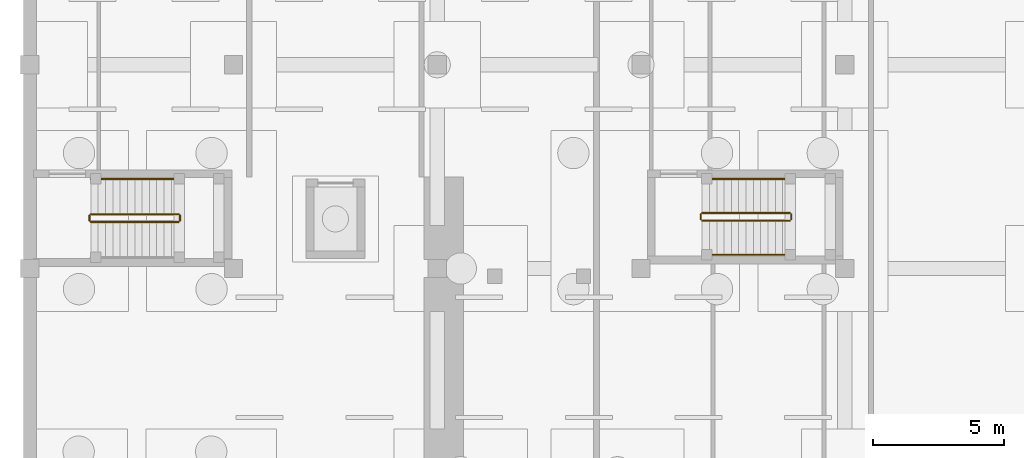
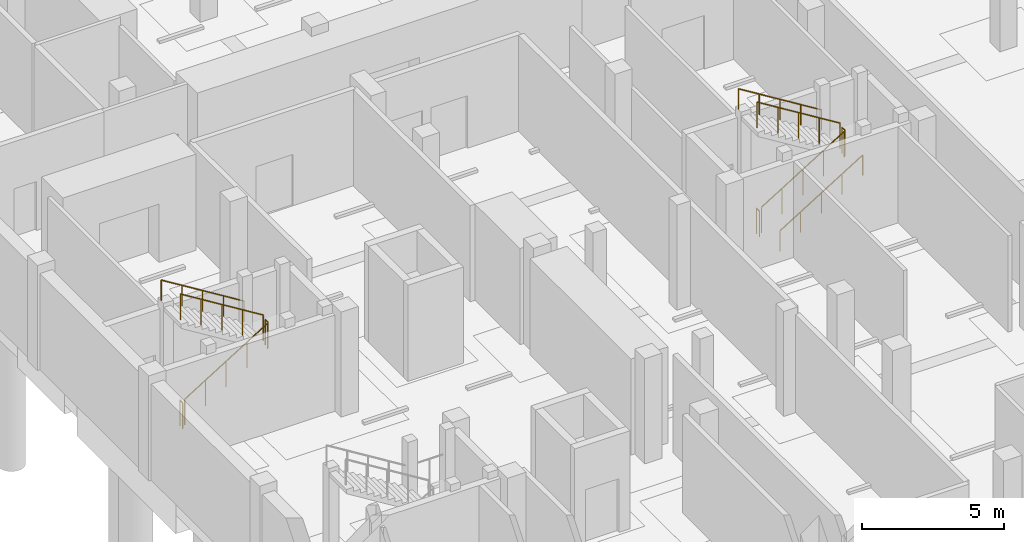
# One storey, part 21 of 24: 11 railings.
"""IFC4 building model written with IfcOpenShell, lengths in metres."""

from ifc_helpers import new_model, si_unit, direction, frame, origin, origin_2d, place, context, subcontext, project, spatial, circle, extrude, material, type_object, element, save


model = new_model("IFC4")

# Units and contexts
model_context = context("Model", 3, precision=1e-05, world=origin(), true_north=direction((0.0, 1.0)))
body_context = subcontext(model_context, "Body", "Model", "MODEL_VIEW")
ifc_project = project(units=[si_unit("LENGTHUNIT", "METRE"), si_unit("AREAUNIT", "SQUARE_METRE"), si_unit("VOLUMEUNIT", "CUBIC_METRE"), si_unit("PLANEANGLEUNIT", "RADIAN"), si_unit("MASSUNIT", "GRAM", prefix="KILO")], contexts=[model_context])

# Site, building, storey
site_placement = place(None, origin())
site = spatial("IfcSite", under=ifc_project, at=site_placement, CompositionType="ELEMENT")
building_placement = place(site_placement, origin())
building = spatial("IfcBuilding", under=site, at=building_placement, Name="Celorna Specialist Clinic", CompositionType="ELEMENT")
storey_placement = place(building_placement, frame((0.0, 0.0, -4.5)))
storey = spatial("IfcBuildingStorey", under=building, at=storey_placement, Name="B01", CompositionType="ELEMENT", Elevation=-4.5)

# Railings
ifc_material_1 = material(Name="Powder-coated steel S355", Category="steel")
railing_type_1 = type_object("IfcRailingType", Name="GR-01", PredefinedType="GUARDRAIL", material=ifc_material_1)
railing_1_placement = place(storey_placement, frame((2.340087890625, 36.8798828125, 0.173095703125)))
element("IfcRailing", 1, at=railing_1_placement, inside=storey, type_object=railing_type_1, Name="B01 ST-06 stair guard 1", PredefinedType="GUARDRAIL", context=body_context, shape_type="SweptSolid", body=[
    extrude(circle(Radius=0.02392578125, at=origin_2d()), frame((0.0, 0.0, 1.09619140625), z_axis=(0.850606129759, 0.0, 0.525803396734), x_axis=(0.0, 1.0, 0.0)), (0.0, 0.0, 1.0), 3.949951171875),
    extrude(circle(Radius=0.02099609375, at=origin_2d()), origin(), (0.0, 0.0, 1.0), 1.072021484375),
    extrude(circle(Radius=0.02099609375, at=origin_2d()), frame((0.83984375, 0.0, 0.519287109375)), (0.0, 0.0, 1.0), 1.072021484375),
    extrude(circle(Radius=0.02099609375, at=origin_2d()), frame((1.679931640625, 0.0, 1.03857421875)), (0.0, 0.0, 1.0), 1.072021484375),
    extrude(circle(Radius=0.02099609375, at=origin_2d()), frame((2.52001953125, 0.0, 1.5576171875)), (0.0, 0.0, 1.0), 1.072021484375),
    extrude(circle(Radius=0.02099609375, at=origin_2d()), frame((3.35986328125, 0.0, 2.076904296875)), (0.0, 0.0, 1.0), 1.072021484375),
])
railing_2_placement = place(storey_placement, frame((5.75, 36.929931640625, 2.25)))
element("IfcRailing", 2, at=railing_2_placement, inside=storey, type_object=railing_type_1, Name="B01 ST-06 stair guard 2", PredefinedType="GUARDRAIL", context=body_context, shape_type="SweptSolid", body=[
    extrude(circle(Radius=0.02392578125, at=origin_2d()), frame((0.0, 0.0, 1.09619140625), z_axis=(0.0, 1.0, 0.0), x_axis=(-1.0, 0.0, 0.0)), (0.0, 0.0, 1.0), 0.199951171875),
    extrude(circle(Radius=0.02099609375, at=origin_2d()), origin(), (0.0, 0.0, 1.0), 1.072021484375),
    extrude(circle(Radius=0.02099609375, at=origin_2d()), frame((0.0, 0.199951171875, 0.0)), (0.0, 0.0, 1.0), 1.072021484375),
])
railing_3_placement = place(storey_placement, frame((5.699951171875, 37.179931640625, 2.423095703125)))
element("IfcRailing", 3, at=railing_3_placement, inside=storey, type_object=railing_type_1, Name="B01 ST-06 stair guard 3", PredefinedType="GUARDRAIL", context=body_context, shape_type="SweptSolid", body=[
    extrude(circle(Radius=0.02392578125, at=origin_2d()), frame((0.0, 0.0, 1.09619140625), z_axis=(-0.850606129759, 0.0, 0.525803396734), x_axis=(0.0, -1.0, 0.0)), (0.0, 0.0, 1.0), 3.949951171875),
    extrude(circle(Radius=0.02099609375, at=origin_2d()), origin(), (0.0, 0.0, 1.0), 1.072021484375),
    extrude(circle(Radius=0.02099609375, at=origin_2d()), frame((-0.83984375, 0.0, 0.519287109375)), (0.0, 0.0, 1.0), 1.072021484375),
    extrude(circle(Radius=0.02099609375, at=origin_2d()), frame((-1.679931640625, 0.0, 1.03857421875)), (0.0, 0.0, 1.0), 1.072021484375),
    extrude(circle(Radius=0.02099609375, at=origin_2d()), frame((-2.52001953125, 0.0, 1.5576171875)), (0.0, 0.0, 1.0), 1.072021484375),
    extrude(circle(Radius=0.02099609375, at=origin_2d()), frame((-3.35986328125, 0.0, 2.076904296875)), (0.0, 0.0, 1.0), 1.072021484375),
])
railing_4_placement = place(storey_placement, frame((2.2900390625, 36.929931640625, 0.0)))
element("IfcRailing", 4, at=railing_4_placement, inside=storey, type_object=railing_type_1, Name="B01 ST-06 stair guard 4", PredefinedType="GUARDRAIL", context=body_context, shape_type="SweptSolid", body=[
    extrude(circle(Radius=0.02392578125, at=origin_2d()), frame((0.0, 0.0, 1.09619140625), z_axis=(0.0, 1.0, 0.0), x_axis=(-1.0, 0.0, 0.0)), (0.0, 0.0, 1.0), 0.199951171875),
    extrude(circle(Radius=0.02099609375, at=origin_2d()), origin(), (0.0, 0.0, 1.0), 1.072021484375),
    extrude(circle(Radius=0.02099609375, at=origin_2d()), frame((0.0, 0.199951171875, 0.0)), (0.0, 0.0, 1.0), 1.072021484375),
])
railing_5_placement = place(storey_placement, frame((25.739990234375, 36.929931640625, 0.173095703125)))
element("IfcRailing", 5, at=railing_5_placement, inside=storey, type_object=railing_type_1, Name="B01 ST-07 stair guard 1", PredefinedType="GUARDRAIL", context=body_context, shape_type="SweptSolid", body=[
    extrude(circle(Radius=0.02392578125, at=origin_2d()), frame((0.0, 0.0, 1.09619140625), z_axis=(0.850623216509, 0.0, 0.525775754039), x_axis=(0.0, 1.0, 0.0)), (0.0, 0.0, 1.0), 3.9501953125),
    extrude(circle(Radius=0.02099609375, at=origin_2d()), origin(), (0.0, 0.0, 1.0), 1.072021484375),
    extrude(circle(Radius=0.02099609375, at=origin_2d()), frame((0.840087890625, 0.0, 0.519287109375)), (0.0, 0.0, 1.0), 1.072021484375),
    extrude(circle(Radius=0.02099609375, at=origin_2d()), frame((1.68017578125, 0.0, 1.03857421875)), (0.0, 0.0, 1.0), 1.072021484375),
    extrude(circle(Radius=0.02099609375, at=origin_2d()), frame((2.52001953125, 0.0, 1.5576171875)), (0.0, 0.0, 1.0), 1.072021484375),
    extrude(circle(Radius=0.02099609375, at=origin_2d()), frame((3.360107421875, 0.0, 2.076904296875)), (0.0, 0.0, 1.0), 1.072021484375),
])
railing_6_placement = place(storey_placement, frame((29.14990234375, 36.97998046875, 2.25)))
element("IfcRailing", 6, at=railing_6_placement, inside=storey, type_object=railing_type_1, Name="B01 ST-07 stair guard 2", PredefinedType="GUARDRAIL", context=body_context, shape_type="SweptSolid", body=[
    extrude(circle(Radius=0.02392578125, at=origin_2d()), frame((0.0, 0.0, 1.09619140625), z_axis=(0.0, 1.0, 0.0), x_axis=(-1.0, 0.0, 0.0)), (0.0, 0.0, 1.0), 0.199951171875),
    extrude(circle(Radius=0.02099609375, at=origin_2d()), origin(), (0.0, 0.0, 1.0), 1.072021484375),
    extrude(circle(Radius=0.02099609375, at=origin_2d()), frame((0.0, 0.199951171875, 0.0)), (0.0, 0.0, 1.0), 1.072021484375),
])
railing_7_placement = place(storey_placement, frame((29.10009765625, 37.22998046875, 2.423095703125)))
element("IfcRailing", 7, at=railing_7_placement, inside=storey, type_object=railing_type_1, Name="B01 ST-07 stair guard 3", PredefinedType="GUARDRAIL", context=body_context, shape_type="SweptSolid", body=[
    extrude(circle(Radius=0.02392578125, at=origin_2d()), frame((0.0, 0.0, 1.09619140625), z_axis=(-0.850623216509, 0.0, 0.525775754039), x_axis=(0.0, -1.0, 0.0)), (0.0, 0.0, 1.0), 3.9501953125),
    extrude(circle(Radius=0.02099609375, at=origin_2d()), origin(), (0.0, 0.0, 1.0), 1.072021484375),
    extrude(circle(Radius=0.02099609375, at=origin_2d()), frame((-0.840087890625, 0.0, 0.519287109375)), (0.0, 0.0, 1.0), 1.072021484375),
    extrude(circle(Radius=0.02099609375, at=origin_2d()), frame((-1.68017578125, 0.0, 1.03857421875)), (0.0, 0.0, 1.0), 1.072021484375),
    extrude(circle(Radius=0.02099609375, at=origin_2d()), frame((-2.52001953125, 0.0, 1.5576171875)), (0.0, 0.0, 1.0), 1.072021484375),
    extrude(circle(Radius=0.02099609375, at=origin_2d()), frame((-3.360107421875, 0.0, 2.076904296875)), (0.0, 0.0, 1.0), 1.072021484375),
])
railing_8_placement = place(storey_placement, frame((25.68994140625, 36.97998046875, 0.0)))
element("IfcRailing", 8, at=railing_8_placement, inside=storey, type_object=railing_type_1, Name="B01 ST-07 stair guard 4", PredefinedType="GUARDRAIL", context=body_context, shape_type="SweptSolid", body=[
    extrude(circle(Radius=0.02392578125, at=origin_2d()), frame((0.0, 0.0, 1.09619140625), z_axis=(0.0, 1.0, 0.0), x_axis=(-1.0, 0.0, 0.0)), (0.0, 0.0, 1.0), 0.199951171875),
    extrude(circle(Radius=0.02099609375, at=origin_2d()), origin(), (0.0, 0.0, 1.0), 1.072021484375),
    extrude(circle(Radius=0.02099609375, at=origin_2d()), frame((0.0, 0.199951171875, 0.0)), (0.0, 0.0, 1.0), 1.072021484375),
])
ifc_material_2 = material(Name="Brushed stainless steel handrail", Category="steel")
railing_type_2 = type_object("IfcRailingType", Name="HR-01", PredefinedType="HANDRAIL", material=ifc_material_2)
railing_9_placement = place(storey_placement, frame((5.699951171875, 38.530029296875, 2.423095703125)))
element("IfcRailing", 9, at=railing_9_placement, inside=storey, type_object=railing_type_2, Name="B01 ST-06 stair handrail 2", PredefinedType="HANDRAIL", context=body_context, shape_type="SweptSolid", body=[
    extrude(circle(Radius=0.02392578125, at=origin_2d()), frame((0.0, 0.0, 0.8759765625), z_axis=(-0.850606129759, 0.0, 0.525803396734), x_axis=(0.0, -1.0, 0.0)), (0.0, 0.0, 1.0), 3.949951171875),
    extrude(circle(Radius=0.02099609375, at=origin_2d()), origin(), (0.0, 0.0, 1.0), 0.851806640625),
    extrude(circle(Radius=0.02099609375, at=origin_2d()), frame((-0.83984375, 0.0, 0.519287109375)), (0.0, 0.0, 1.0), 0.851806640625),
    extrude(circle(Radius=0.02099609375, at=origin_2d()), frame((-1.679931640625, 0.0, 1.03857421875)), (0.0, 0.0, 1.0), 0.851806640625),
    extrude(circle(Radius=0.02099609375, at=origin_2d()), frame((-2.52001953125, 0.0, 1.5576171875)), (0.0, 0.0, 1.0), 0.851806640625),
    extrude(circle(Radius=0.02099609375, at=origin_2d()), frame((-3.35986328125, 0.0, 2.076904296875)), (0.0, 0.0, 1.0), 0.851806640625),
])
railing_10_placement = place(storey_placement, frame((25.739990234375, 35.6298828125, 0.173095703125)))
element("IfcRailing", 10, at=railing_10_placement, inside=storey, type_object=railing_type_2, Name="B01 ST-07 stair handrail 1", PredefinedType="HANDRAIL", context=body_context, shape_type="SweptSolid", body=[
    extrude(circle(Radius=0.02392578125, at=origin_2d()), frame((0.0, 0.0, 0.8759765625), z_axis=(0.850623216509, 0.0, 0.525775754039), x_axis=(0.0, 1.0, 0.0)), (0.0, 0.0, 1.0), 3.9501953125),
    extrude(circle(Radius=0.02099609375, at=origin_2d()), origin(), (0.0, 0.0, 1.0), 0.851806640625),
    extrude(circle(Radius=0.02099609375, at=origin_2d()), frame((0.840087890625, 0.0, 0.519287109375)), (0.0, 0.0, 1.0), 0.851806640625),
    extrude(circle(Radius=0.02099609375, at=origin_2d()), frame((1.68017578125, 0.0, 1.03857421875)), (0.0, 0.0, 1.0), 0.851806640625),
    extrude(circle(Radius=0.02099609375, at=origin_2d()), frame((2.52001953125, 0.0, 1.5576171875)), (0.0, 0.0, 1.0), 0.851806640625),
    extrude(circle(Radius=0.02099609375, at=origin_2d()), frame((3.360107421875, 0.0, 2.076904296875)), (0.0, 0.0, 1.0), 0.851806640625),
])
railing_11_placement = place(storey_placement, frame((29.10009765625, 38.530029296875, 2.423095703125)))
element("IfcRailing", 11, at=railing_11_placement, inside=storey, type_object=railing_type_2, Name="B01 ST-07 stair handrail 2", PredefinedType="HANDRAIL", context=body_context, shape_type="SweptSolid", body=[
    extrude(circle(Radius=0.02392578125, at=origin_2d()), frame((0.0, 0.0, 0.8759765625), z_axis=(-0.850623216509, 0.0, 0.525775754039), x_axis=(0.0, -1.0, 0.0)), (0.0, 0.0, 1.0), 3.9501953125),
    extrude(circle(Radius=0.02099609375, at=origin_2d()), origin(), (0.0, 0.0, 1.0), 0.851806640625),
    extrude(circle(Radius=0.02099609375, at=origin_2d()), frame((-0.840087890625, 0.0, 0.519287109375)), (0.0, 0.0, 1.0), 0.851806640625),
    extrude(circle(Radius=0.02099609375, at=origin_2d()), frame((-1.68017578125, 0.0, 1.03857421875)), (0.0, 0.0, 1.0), 0.851806640625),
    extrude(circle(Radius=0.02099609375, at=origin_2d()), frame((-2.52001953125, 0.0, 1.5576171875)), (0.0, 0.0, 1.0), 0.851806640625),
    extrude(circle(Radius=0.02099609375, at=origin_2d()), frame((-3.360107421875, 0.0, 2.076904296875)), (0.0, 0.0, 1.0), 0.851806640625),
])

save(model, "model.ifc")
